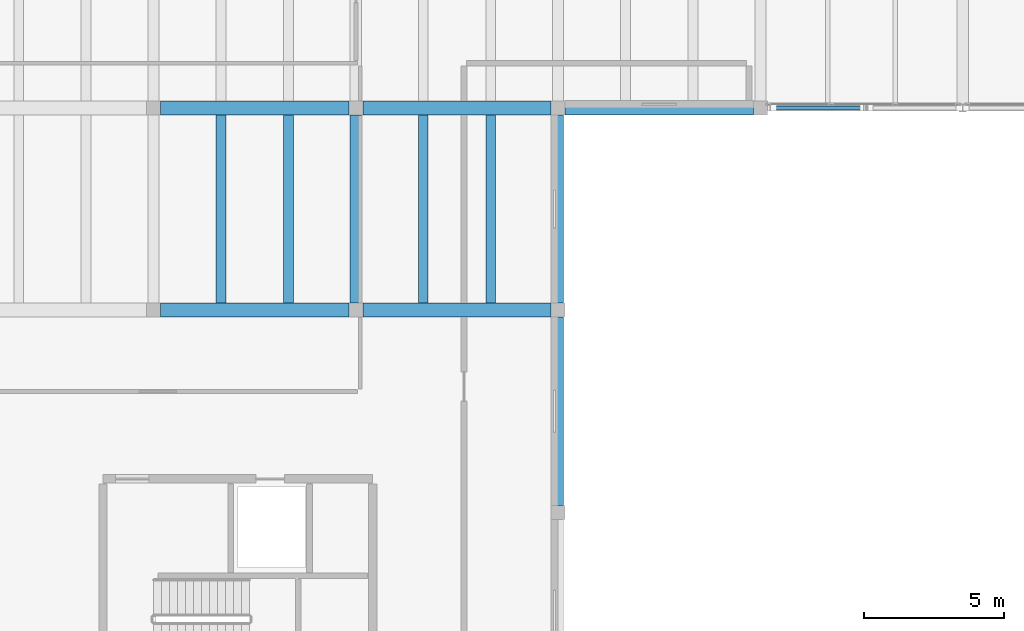
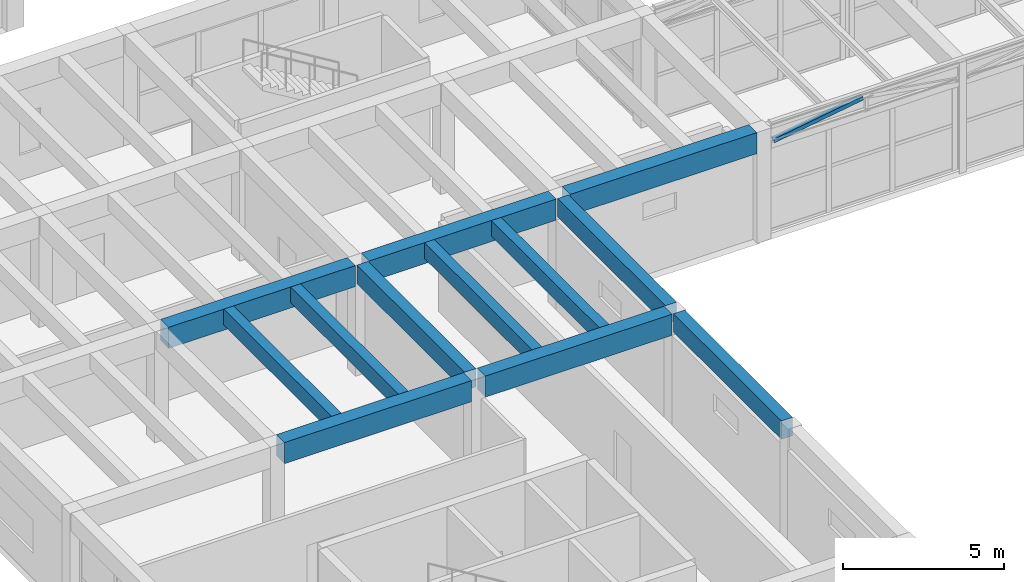
# One storey, part 12 of 153: 12 beams, 1 member.
"""IFC4 building model written with IfcOpenShell, lengths in metres."""

from ifc_helpers import new_model, si_unit, direction, frame, origin, origin_2d, place, context, subcontext, project, spatial, rectangle, hollow_rectangle, extrude, material, material_profile, profile_set, type_object, element, save


model = new_model("IFC4")

# Units and contexts
model_context = context("Model", 3, precision=1e-05, world=origin(), true_north=direction((0.0, 1.0)))
body_context = subcontext(model_context, "Body", "Model", "MODEL_VIEW")
ifc_project = project(units=[si_unit("LENGTHUNIT", "METRE"), si_unit("AREAUNIT", "SQUARE_METRE"), si_unit("VOLUMEUNIT", "CUBIC_METRE"), si_unit("PLANEANGLEUNIT", "RADIAN"), si_unit("MASSUNIT", "GRAM", prefix="KILO")], contexts=[model_context])

# Site, building, storey
site_placement = place(None, origin())
site = spatial("IfcSite", under=ifc_project, at=site_placement, CompositionType="ELEMENT")
building_placement = place(site_placement, origin())
building = spatial("IfcBuilding", under=site, at=building_placement, Name="Bramvelor Terrace Health Centre", CompositionType="ELEMENT")
storey_placement = place(building_placement, frame((0.0, 0.0, 4.800048828125)))
storey = spatial("IfcBuildingStorey", under=building, at=storey_placement, Name="L02", CompositionType="ELEMENT", Elevation=4.800048828125)

# Beams
ifc_material_1 = material(Name="Concrete C40/50", Category="concrete")
ifc_material_profile_1 = material_profile(ifc_material_1, rectangle(XDim=0.39990234375, YDim=0.699951171875, at=origin_2d()), Name="RC 400x700")
ifc_profile_set_1 = profile_set([ifc_material_profile_1], Name="Concrete C40/50")
beam_type_1 = type_object("IfcBeamType", Name="BM-RC-G700", PredefinedType="BEAM", material=ifc_profile_set_1)
for number, where, z_axis, x_axis, name in (
    (1, (14.39990234375, 43.449951171875, 3.849853515625), (0.0, 1.0, 0.0), (-1.0, 0.0, 0.0), "L02 Floor Girder"),
    (2, (21.60009765625, 36.25, 3.849853515625), (0.0, 1.0, 0.0), (-1.0, 0.0, 0.0), "L02 Floor Girder"),
    (3, (21.60009765625, 43.449951171875, 3.849853515625), (0.0, 1.0, 0.0), (-1.0, 0.0, 0.0), "L02 Floor Girder"),
):
    element("IfcBeam", number, at=place(storey_placement, frame(where, z_axis=z_axis, x_axis=x_axis)), inside=storey, type_object=beam_type_1, Name=name, PredefinedType="BEAM", context=body_context, shape_type="SweptSolid", body=[
        extrude(rectangle(XDim=0.39990234375, YDim=0.699951171875, at=origin_2d()), origin(), (0.0, 0.0, 1.0), 6.699951171875),
    ])
ifc_material_2 = material(Name="Concrete C40/50", Category="concrete")
ifc_material_profile_2 = material_profile(ifc_material_2, rectangle(XDim=0.5, YDim=0.800048828125, at=origin_2d()), Name="RC 500x800")
ifc_profile_set_2 = profile_set([ifc_material_profile_2], Name="Concrete C40/50")
beam_type_2 = type_object("IfcBeamType", Name="BM-RC-G800", PredefinedType="BEAM", material=ifc_profile_set_2)
for number, where, z_axis, x_axis, name in (
    (4, (7.449951171875, 43.199951171875, 3.800048828125), (1.0, 0.0, 0.0), (0.0, 1.0, 0.0), "L02 Floor Girder"),
    (5, (7.449951171875, 50.39990234375, 3.800048828125), (1.0, 0.0, 0.0), (0.0, 1.0, 0.0), "L02 Floor Girder"),
):
    element("IfcBeam", number, at=place(storey_placement, frame(where, z_axis=z_axis, x_axis=x_axis)), inside=storey, type_object=beam_type_2, Name=name, PredefinedType="BEAM", context=body_context, shape_type="SweptSolid", body=[
        extrude(rectangle(XDim=0.5, YDim=0.800048828125, at=origin_2d()), origin(), (0.0, 0.0, 1.0), 6.699951171875),
    ])
for number, where, z_axis, x_axis, name in (
    (6, (14.64990234375, 43.199951171875, 3.800048828125), (1.0, 0.0, 0.0), (0.0, 1.0, 0.0), "L02 Floor Girder"),
    (7, (14.64990234375, 50.39990234375, 3.800048828125), (1.0, 0.0, 0.0), (0.0, 1.0, 0.0), "L02 Floor Girder"),
):
    element("IfcBeam", number, at=place(storey_placement, frame(where, z_axis=z_axis, x_axis=x_axis)), inside=storey, type_object=beam_type_2, Name=name, PredefinedType="BEAM", context=body_context, shape_type="SweptSolid", body=[
        extrude(rectangle(XDim=0.5, YDim=0.800048828125, at=origin_2d()), origin(), (0.0, 0.0, 1.0), 6.7001953125),
    ])
beam_placement = place(storey_placement, frame((21.85009765625, 50.39990234375, 3.800048828125), z_axis=(1.0, 0.0, 0.0), x_axis=(0.0, 1.0, 0.0)))
element("IfcBeam", 8, at=beam_placement, inside=storey, type_object=beam_type_2, Name="L02 Floor Girder", PredefinedType="BEAM", context=body_context, shape_type="SweptSolid", body=[
    extrude(rectangle(XDim=0.5, YDim=0.800048828125, at=origin_2d()), origin(), (0.0, 0.0, 1.0), 6.699951171875),
])
ifc_material_3 = material(Name="Concrete C40/50", Category="concrete")
ifc_material_profile_3 = material_profile(ifc_material_3, rectangle(XDim=0.35009765625, YDim=0.60009765625, at=origin_2d()), Name="RC 350x600")
ifc_profile_set_3 = profile_set([ifc_material_profile_3], Name="Concrete C40/50")
beam_type_3 = type_object("IfcBeamType", Name="BM-RC-J600", PredefinedType="JOIST", material=ifc_profile_set_3)
for number, where, z_axis, x_axis, name in (
    (9, (9.60009765625, 43.449951171875, 3.89990234375), (0.0, 1.0, 0.0), (-1.0, 0.0, 0.0), "L02 Secondary Floor Joist"),
    (10, (12.0, 43.449951171875, 3.89990234375), (0.0, 1.0, 0.0), (-1.0, 0.0, 0.0), "L02 Secondary Floor Joist"),
    (11, (16.800048828125, 43.449951171875, 3.89990234375), (0.0, 1.0, 0.0), (-1.0, 0.0, 0.0), "L02 Secondary Floor Joist"),
    (12, (19.199951171875, 43.449951171875, 3.89990234375), (0.0, 1.0, 0.0), (-1.0, 0.0, 0.0), "L02 Secondary Floor Joist"),
):
    element("IfcBeam", number, at=place(storey_placement, frame(where, z_axis=z_axis, x_axis=x_axis)), inside=storey, type_object=beam_type_3, Name=name, PredefinedType="JOIST", context=body_context, shape_type="SweptSolid", body=[
        extrude(rectangle(XDim=0.35009765625, YDim=0.60009765625, at=origin_2d()), origin(), (0.0, 0.0, 1.0), 6.699951171875),
    ])

# Member
ifc_material_4 = material(Name="Steel S355J2", Category="steel")
ifc_material_profile_4 = material_profile(ifc_material_4, hollow_rectangle(XDim=0.14990234375, YDim=0.14990234375, WallThickness=0.00634765625, at=origin_2d()), Name="SHS 150x150x6.3")
ifc_profile_set_4 = profile_set([ifc_material_profile_4], Name="Steel S355J2")
member_type = type_object("IfcMemberType", Name="MEM-STL-SHS150", PredefinedType="BRACE", material=ifc_profile_set_4)
member_placement = place(storey_placement, frame((29.27001953125, 50.39990234375, 3.52001953125), z_axis=(0.987421259793, 0.0, 0.158111529335), x_axis=(0.0, 1.0, 0.0)))
element("IfcMember", 13, at=member_placement, inside=storey, type_object=member_type, Name="BR1 Bridge Truss Web Diagonal 0", PredefinedType="BRACE", context=body_context, shape_type="SweptSolid", body=[
    extrude(hollow_rectangle(XDim=0.14990234375, YDim=0.14990234375, WallThickness=0.00634765625, at=origin_2d()), origin(), (0.0, 0.0, 1.0), 3.2255859375),
])

save(model, "model.ifc")
